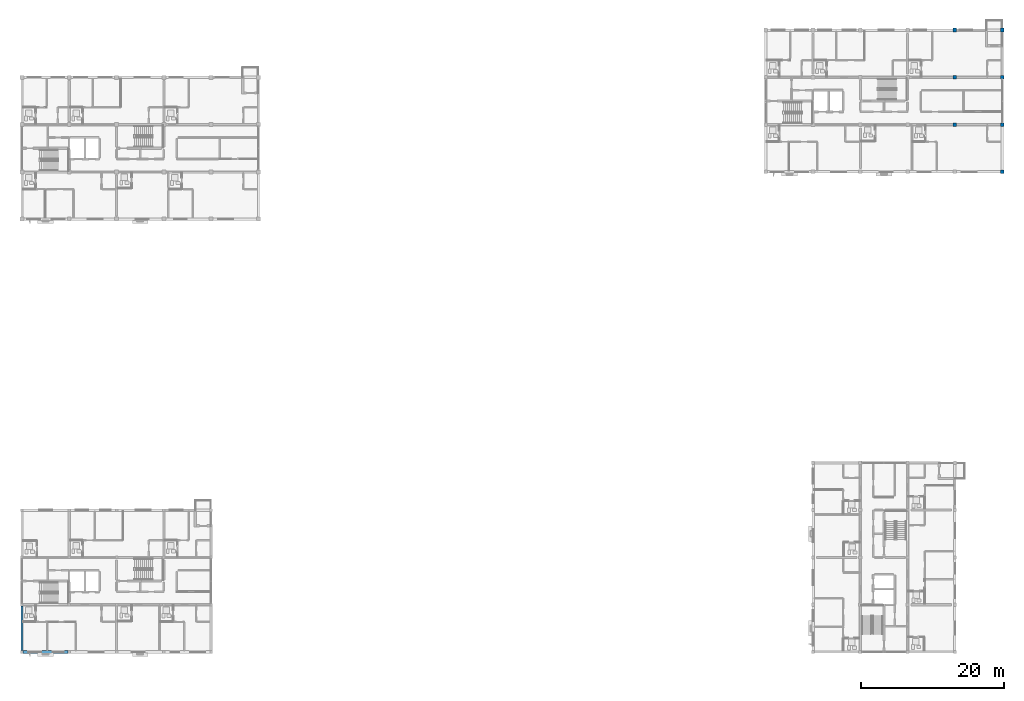
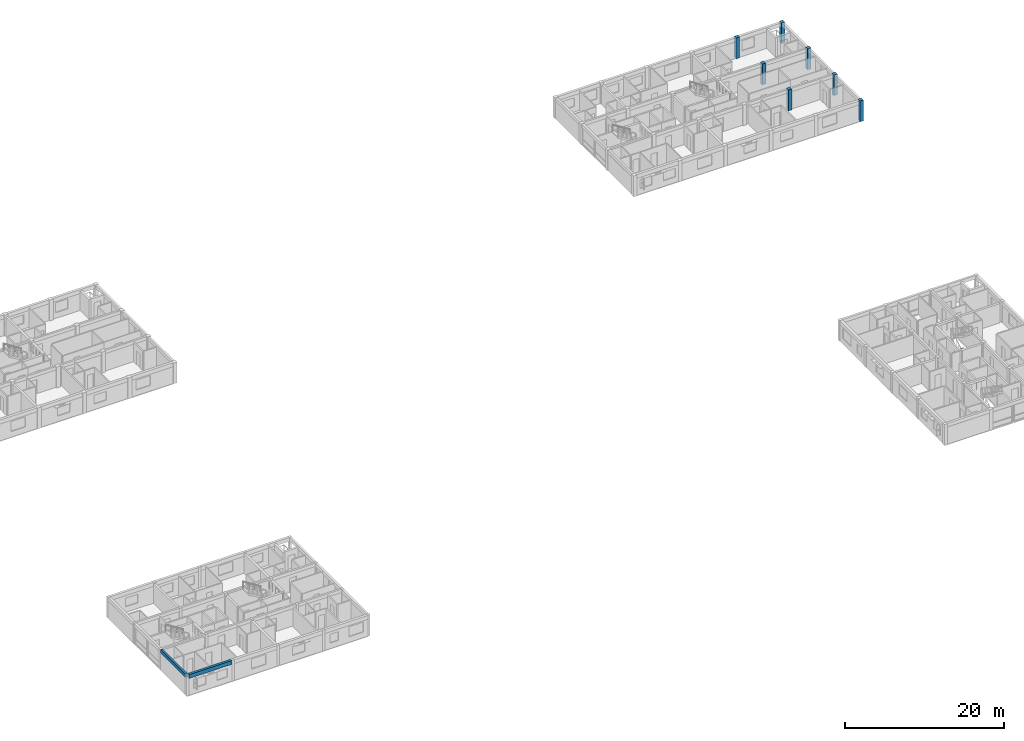
# One storey, part 3 of 53: 7 columns, 2 beams.
"""IFC4 building model written with IfcOpenShell, lengths in metres."""

from ifc_helpers import new_model, si_unit, direction, frame, origin, origin_2d, place, context, subcontext, project, spatial, rectangle, extrude, material, material_profile, profile_set, type_object, element, save


model = new_model("IFC4")

# Units and contexts
model_context = context("Model", 3, precision=1e-05, world=origin(), true_north=direction((0.0, 1.0)))
body_context = subcontext(model_context, "Body", "Model", "MODEL_VIEW")
ifc_project = project(units=[si_unit("LENGTHUNIT", "METRE"), si_unit("AREAUNIT", "SQUARE_METRE"), si_unit("VOLUMEUNIT", "CUBIC_METRE"), si_unit("PLANEANGLEUNIT", "RADIAN"), si_unit("MASSUNIT", "GRAM", prefix="KILO")], contexts=[model_context])

# Site, building, storey
site_placement = place(None, origin())
site = spatial("IfcSite", under=ifc_project, at=site_placement, CompositionType="ELEMENT")
building_placement = place(site_placement, origin())
building = spatial("IfcBuilding", under=site, at=building_placement, Name="Kernevlak Ridge Housing Community", CompositionType="ELEMENT")
storey_placement = place(building_placement, frame((0.0, 0.0, 24.39990234375)))
storey = spatial("IfcBuildingStorey", under=building, at=storey_placement, Name="L07", CompositionType="ELEMENT", Elevation=24.39990234375)

# Columns
ifc_material_1 = material(Name="Concrete C40/50", Category="concrete")
ifc_material_profile_1 = material_profile(ifc_material_1, rectangle(XDim=0.5, YDim=0.5, at=origin_2d()), Name="RC 500x500")
ifc_profile_set_1 = profile_set([ifc_material_profile_1], Name="Concrete C40/50")
column_type = type_object("IfcColumnType", Name="C-03", PredefinedType="COLUMN", material=ifc_profile_set_1)
for number, where, z_axis, x_axis, name in (
    (1, (145.800048828125, 89.199951171875, 0.0), (0.0, 0.0, 1.0), (1.0, 0.0, 0.0), "Column C-03 COL-B-L07-04-1"),
    (2, (145.800048828125, 95.800048828125, 0.0), (0.0, 0.0, 1.0), (1.0, 0.0, 0.0), "Column C-03 COL-B-L07-04-2"),
    (3, (145.800048828125, 102.39990234375, 0.0), (0.0, 0.0, 1.0), (1.0, 0.0, 0.0), "Column C-03 COL-B-L07-04-3"),
    (4, (152.39990234375, 82.60009765625, 0.0), (0.0, 0.0, 1.0), (1.0, 0.0, 0.0), "Column C-03 COL-B-L07-05-0"),
    (5, (152.39990234375, 89.199951171875, 0.0), (0.0, 0.0, 1.0), (1.0, 0.0, 0.0), "Column C-03 COL-B-L07-05-1"),
    (6, (152.39990234375, 95.800048828125, 0.0), (0.0, 0.0, 1.0), (1.0, 0.0, 0.0), "Column C-03 COL-B-L07-05-2"),
    (7, (152.39990234375, 102.39990234375, 0.0), (0.0, 0.0, 1.0), (1.0, 0.0, 0.0), "Column C-03 COL-B-L07-05-3"),
):
    element("IfcColumn", number, at=place(storey_placement, frame(where, z_axis=z_axis, x_axis=x_axis)), inside=storey, type_object=column_type, Name=name, PredefinedType="COLUMN", context=body_context, shape_type="SweptSolid", body=[
        extrude(rectangle(XDim=0.5, YDim=0.5, at=origin_2d()), origin(), (0.0, 0.0, 1.0), 3.2001953125),
    ])

# Beams
ifc_material_2 = material(Name="Concrete C35/45", Category="concrete")
ifc_material_profile_2 = material_profile(ifc_material_2, rectangle(XDim=0.300048828125, YDim=0.550048828125, at=origin_2d()), Name="RC 300x550")
ifc_profile_set_2 = profile_set([ifc_material_profile_2], Name="Concrete C35/45")
beam_type_1 = type_object("IfcBeamType", Name="SP-01", PredefinedType="SPANDREL", material=ifc_profile_set_2)
beam_1_placement = place(storey_placement, frame((15.60009765625, 15.77490234375, 2.925048828125), z_axis=(0.0, 1.0, 0.0), x_axis=(-1.0, 0.0, 0.0)))
element("IfcBeam", 8, at=beam_1_placement, inside=storey, type_object=beam_type_1, Name="Beam SP-01 L07 1492", PredefinedType="SPANDREL", context=body_context, shape_type="SweptSolid", body=[
    extrude(rectangle(XDim=0.300048828125, YDim=0.550048828125, at=origin_2d()), origin(), (0.0, 0.0, 1.0), 6.25),
])
ifc_material_profile_3 = material_profile(ifc_material_2, rectangle(XDim=0.35009765625, YDim=0.60009765625, at=origin_2d()), Name="RC 350x600")
ifc_profile_set_3 = profile_set([ifc_material_profile_3], Name="Concrete C35/45")
beam_type_2 = type_object("IfcBeamType", Name="SP-03", PredefinedType="SPANDREL", material=ifc_profile_set_3)
beam_2_placement = place(storey_placement, frame((15.77490234375, 15.60009765625, 2.900146484375), z_axis=(1.0, 0.0, 0.0), x_axis=(0.0, 1.0, 0.0)))
element("IfcBeam", 9, at=beam_2_placement, inside=storey, type_object=beam_type_2, Name="Beam SP-03 L07 1476", PredefinedType="SPANDREL", context=body_context, shape_type="SweptSolid", body=[
    extrude(rectangle(XDim=0.35009765625, YDim=0.60009765625, at=origin_2d()), origin(), (0.0, 0.0, 1.0), 6.25),
])

save(model, "model.ifc")
